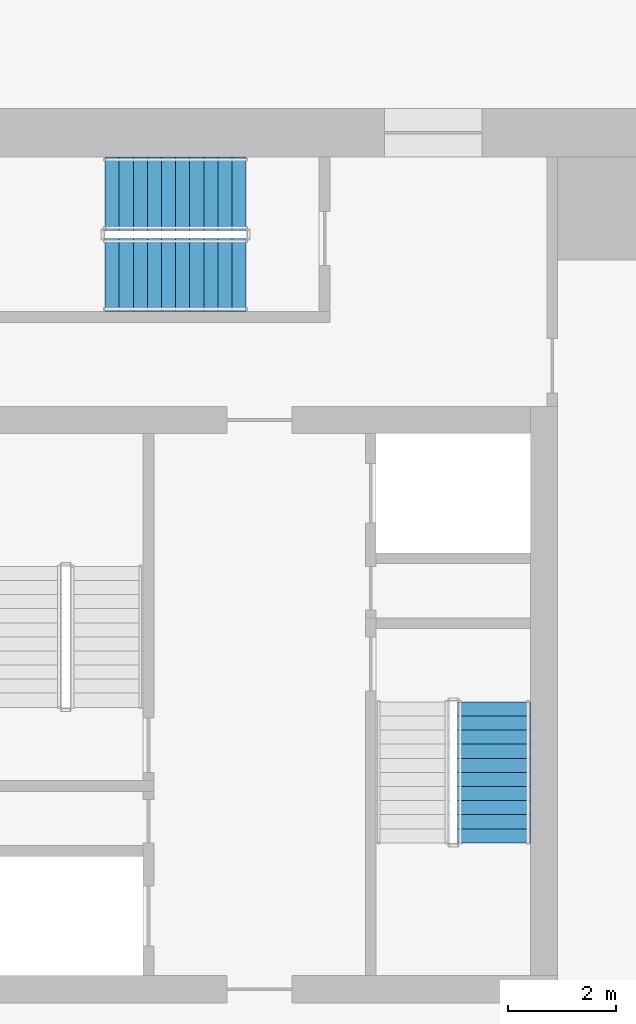
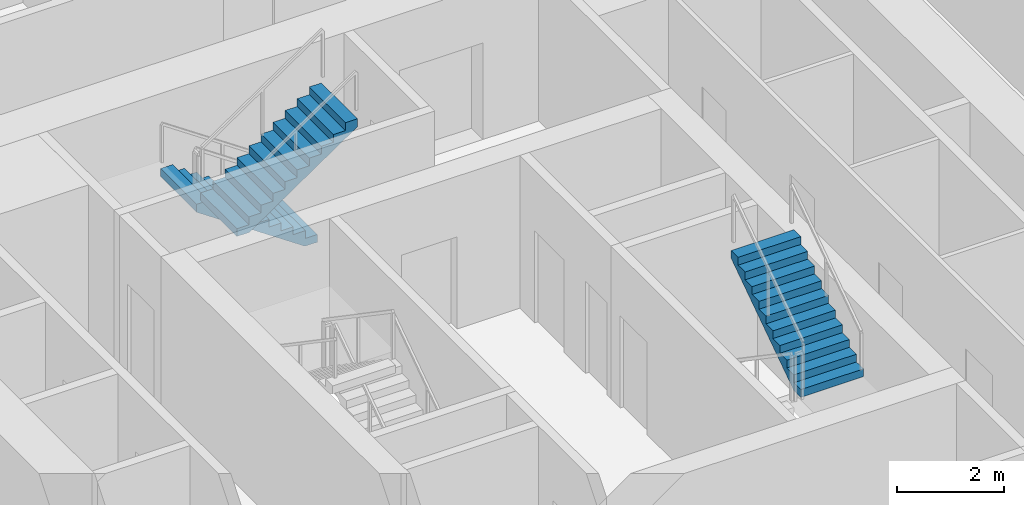
# One storey, part 10 of 15: 3 stair flights, 2 elements without a shape of their own.
"""IFC4 building model written with IfcOpenShell, lengths in metres."""

from ifc_helpers import new_model, si_unit, direction, frame, origin, place, context, subcontext, project, spatial, polyline, outline, extrude, material, type_object, element, aggregate, save


model = new_model("IFC4")

# Units and contexts
model_context = context("Model", 3, precision=1e-05, world=origin(), true_north=direction((0.0, 1.0)))
body_context = subcontext(model_context, "Body", "Model", "MODEL_VIEW")
ifc_project = project(units=[si_unit("LENGTHUNIT", "METRE"), si_unit("AREAUNIT", "SQUARE_METRE"), si_unit("VOLUMEUNIT", "CUBIC_METRE"), si_unit("PLANEANGLEUNIT", "RADIAN"), si_unit("MASSUNIT", "GRAM", prefix="KILO")], contexts=[model_context])

# Site, building, storey
site_placement = place(None, origin())
site = spatial("IfcSite", under=ifc_project, at=site_placement, CompositionType="ELEMENT")
building_placement = place(site_placement, origin())
building = spatial("IfcBuilding", under=site, at=building_placement, Name="Khepri Terraces", CompositionType="ELEMENT")
storey_placement = place(building_placement, frame((0.0, 0.0, 42.60009765625)))
storey = spatial("IfcBuildingStorey", under=building, at=storey_placement, Name="L09", CompositionType="ELEMENT", Elevation=42.60009765625)

# Stair, stair flight
ifc_material = material(Name="Concrete C40/50", Category="concrete")
stair_type = type_object("IfcStairType", Name="STAIR-RC-22R", PredefinedType="HALF_TURN_STAIR", material=ifc_material)
stair_1_placement = place(storey_placement, origin())
stair_1 = element("IfcStair", 1, at=stair_1_placement, inside=storey, type_object=stair_type, Name="L09 Exit Stair ST-2", PredefinedType="HALF_TURN_STAIR")
stair_flight_type = type_object("IfcStairFlightType", Name="SFL-RC-177.3", PredefinedType="STRAIGHT", material=ifc_material)
stair_flight_1_placement = place(storey_placement, frame((4.324951171875, -2.550048828125, 1.949951171875), z_axis=(0.0, 0.0, 1.0), x_axis=(0.0, 1.0, 0.0)))
stair_flight_1 = element("IfcStairFlight", 2, at=stair_flight_1_placement, type_object=stair_flight_type, Name="ST-2 flight 2", NumberOfRisers=11, NumberOfTreads=10, PredefinedType="STRAIGHT", RiserHeight=0.177272727, TreadLength=0.26, context=body_context, shape_type="SweptSolid", body=[
    extrude(outline(polyline([(0.0, 0.0), (0.0, 0.17724609375), (0.260009765625, 0.17724609375), (0.260009765625, 0.3544921875), (0.52001953125, 0.3544921875), (0.52001953125, 0.53173828125), (0.780029296875, 0.53173828125), (0.780029296875, 0.708984375), (1.0400390625, 0.708984375), (1.0400390625, 0.886474609375), (1.300048828125, 0.886474609375), (1.300048828125, 1.063720703125), (1.56005859375, 1.063720703125), (1.56005859375, 1.240966796875), (1.820068359375, 1.240966796875), (1.820068359375, 1.418212890625), (2.080078125, 1.418212890625), (2.080078125, 1.595458984375), (2.340087890625, 1.595458984375), (2.340087890625, 1.772705078125), (2.60009765625, 1.772705078125), (2.60009765625, 1.949951171875), (2.60009765625, 1.59130859375), (0.26611328125, 0.0), (0.0, 0.0)])), frame((0.0, 0.675048828125, 0.0), z_axis=(0.0, -1.0, 0.0), x_axis=(1.0, 0.0, 0.0)), (0.0, 0.0, 1.0), 1.35009765625),
])
aggregate(stair_1, [stair_flight_1])

# Stair, stair flights
stair_2_placement = place(storey_placement, origin())
stair_2 = element("IfcStair", 3, at=stair_2_placement, inside=storey, type_object=stair_type, Name="L09 Exit Stair ST-3", PredefinedType="HALF_TURN_STAIR")
stair_flight_2_placement = place(storey_placement, frame((-0.25, 9.425048828125, 0.0), z_axis=(0.0, 0.0, 1.0), x_axis=(-1.0, 0.0, 0.0)))
stair_flight_2 = element("IfcStairFlight", 4, at=stair_flight_2_placement, type_object=stair_flight_type, Name="ST-3 flight 1", NumberOfRisers=11, NumberOfTreads=10, PredefinedType="STRAIGHT", RiserHeight=0.177272727, TreadLength=0.26, context=body_context, shape_type="SweptSolid", body=[
    extrude(outline(polyline([(0.0, 0.0), (0.0, 0.17724609375), (0.260009765625, 0.17724609375), (0.260009765625, 0.3544921875), (0.52001953125, 0.3544921875), (0.52001953125, 0.53173828125), (0.780029296875, 0.53173828125), (0.780029296875, 0.708984375), (1.0400390625, 0.708984375), (1.0400390625, 0.886474609375), (1.300048828125, 0.886474609375), (1.300048828125, 1.063720703125), (1.56005859375, 1.063720703125), (1.56005859375, 1.240966796875), (1.820068359375, 1.240966796875), (1.820068359375, 1.418212890625), (2.080078125, 1.418212890625), (2.080078125, 1.595458984375), (2.340087890625, 1.595458984375), (2.340087890625, 1.772705078125), (2.60009765625, 1.772705078125), (2.60009765625, 1.949951171875), (2.60009765625, 1.59130859375), (0.26611328125, 0.0), (0.0, 0.0)])), frame((0.0, 0.675048828125, 0.0), z_axis=(0.0, -1.0, 0.0), x_axis=(1.0, 0.0, 0.0)), (0.0, 0.0, 1.0), 1.35009765625),
])
stair_flight_3_placement = place(storey_placement, frame((-2.85009765625, 7.925048828125, 1.949951171875), z_axis=(0.0, 0.0, 1.0), x_axis=(1.0, 0.0, 0.0)))
stair_flight_3 = element("IfcStairFlight", 5, at=stair_flight_3_placement, type_object=stair_flight_type, Name="ST-3 flight 2", NumberOfRisers=11, NumberOfTreads=10, PredefinedType="STRAIGHT", RiserHeight=0.177272727, TreadLength=0.26, context=body_context, shape_type="SweptSolid", body=[
    extrude(outline(polyline([(0.0, 0.0), (0.0, 0.17724609375), (0.260009765625, 0.17724609375), (0.260009765625, 0.3544921875), (0.52001953125, 0.3544921875), (0.52001953125, 0.53173828125), (0.780029296875, 0.53173828125), (0.780029296875, 0.708984375), (1.0400390625, 0.708984375), (1.0400390625, 0.886474609375), (1.300048828125, 0.886474609375), (1.300048828125, 1.063720703125), (1.56005859375, 1.063720703125), (1.56005859375, 1.240966796875), (1.820068359375, 1.240966796875), (1.820068359375, 1.418212890625), (2.080078125, 1.418212890625), (2.080078125, 1.595458984375), (2.340087890625, 1.595458984375), (2.340087890625, 1.772705078125), (2.60009765625, 1.772705078125), (2.60009765625, 1.949951171875), (2.60009765625, 1.59130859375), (0.26611328125, 0.0), (0.0, 0.0)])), frame((0.0, 0.675048828125, 0.0), z_axis=(0.0, -1.0, 0.0), x_axis=(1.0, 0.0, 0.0)), (0.0, 0.0, 1.0), 1.35009765625),
])
aggregate(stair_2, [stair_flight_2, stair_flight_3])

save(model, "model.ifc")
